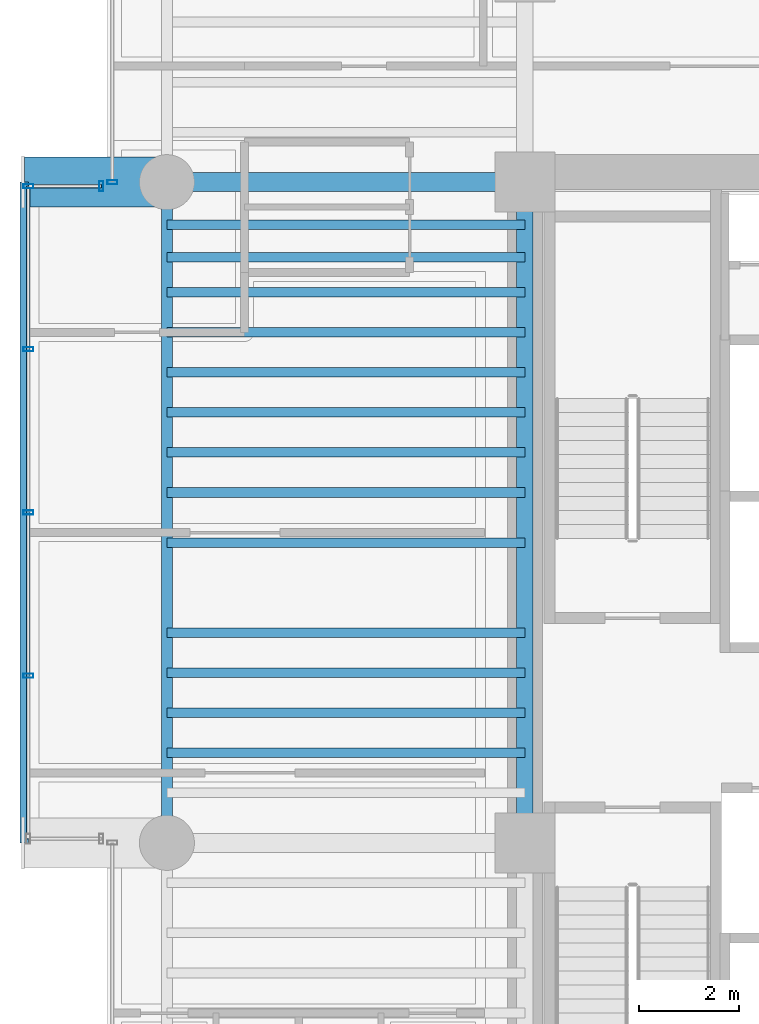
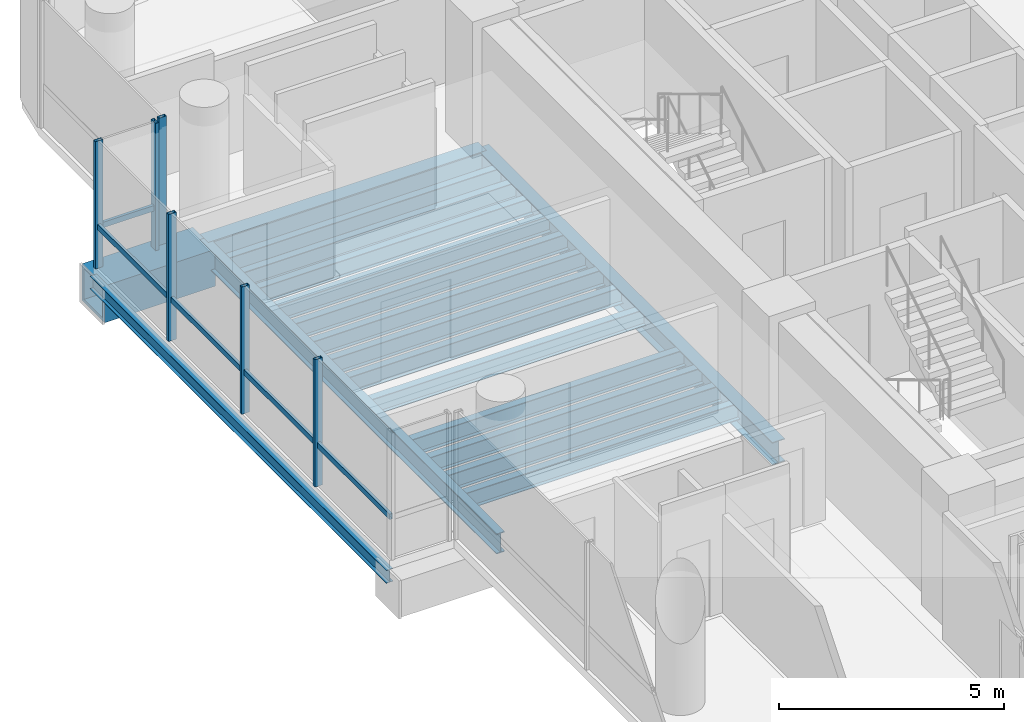
# One storey, part 7 of 35: 18 beams, 8 members, 3 elements without a shape of their own.
"""IFC4 building model written with IfcOpenShell, lengths in metres."""

import ifcopenshell
import ifcopenshell.guid

model = None  # the IFC model being written
_history = None  # IfcOwnerHistory: only IFC2X3 demands one
_inside = {}  # id of a spatial element -> (the spatial element, [elements in it])
_under = {}  # id of a project, library or spatial element -> (it, [spatial elements below it])
_declared = {}  # id of a project -> (the project, [libraries it declares])
_typed = {}  # id of a type object -> (the type object, [elements of that type])
_made_of = {}  # id of a material, layer set ... -> (it, [elements and type objects made of it])


def new_model(schema):
    """Start an empty IFC model of exactly this schema.

    Asked for "IFC4X3", IfcOpenShell would pick the latest addendum, in which some entities
    have other attributes; the version numbers below select the first issue.
    IFC2X3 requires an IfcOwnerHistory on every rooted entity: one is made here for all.
    """
    global model, _history
    if schema == "IFC4X3":
        model = ifcopenshell.file(schema_version=(4, 3, 0, 0))
    else:
        model = ifcopenshell.file(schema=schema)
    _inside.clear()
    _under.clear()
    _declared.clear()
    _typed.clear()
    _made_of.clear()
    _history = None
    if model.schema == "IFC2X3":
        org = make("IfcOrganization", Name="unknown")
        user = make(
            "IfcPersonAndOrganization",
            ThePerson=make("IfcPerson", FamilyName="unknown"),
            TheOrganization=org,
        )
        app = make(
            "IfcApplication",
            ApplicationDeveloper=org,
            Version="unknown",
            ApplicationFullName="unknown",
            ApplicationIdentifier="unknown",
        )
        _history = make(
            "IfcOwnerHistory",
            OwningUser=user,
            OwningApplication=app,
            ChangeAction="ADDED",
            CreationDate=0,
        )
    return model


def make(cls, **values):
    """One entity of the class cls with the attributes given. An attribute that is None is left unset."""
    return model.create_entity(
        cls, **{name: value for name, value in values.items() if value is not None}
    )


def rooted(cls, **values):
    """An entity with a GlobalId (a new one), such as an element, a storey or a relation."""
    return make(cls, GlobalId=ifcopenshell.guid.new(), OwnerHistory=_history, **values)


def si_unit(unit_type, name, prefix=None):
    """IfcSIUnit, for example si_unit("LENGTHUNIT", "METRE", prefix="MILLI")."""
    return make("IfcSIUnit", UnitType=unit_type, Prefix=prefix, Name=name)


def assignment(units):
    """IfcUnitAssignment: the units of a project."""
    return None if units is None else make("IfcUnitAssignment", Units=units)


def point(xyz):
    """IfcCartesianPoint."""
    return None if xyz is None else make("IfcCartesianPoint", Coordinates=xyz)


def direction(xyz):
    """IfcDirection."""
    return None if xyz is None else make("IfcDirection", DirectionRatios=xyz)


def frame(location, z_axis=None, x_axis=None):
    """IfcAxis2Placement3D, a coordinate frame: its origin and axes. An axis left out is left unset."""
    return make(
        "IfcAxis2Placement3D",
        Location=point(location),
        Axis=direction(z_axis),
        RefDirection=direction(x_axis),
    )


def frame_2d(location, x_axis=None):
    """IfcAxis2Placement2D, a coordinate frame in the plane: its origin and x axis."""
    return make(
        "IfcAxis2Placement2D", Location=point(location), RefDirection=direction(x_axis)
    )


def origin():
    """The frame at (0, 0, 0) with its axes left unset."""
    return frame((0.0, 0.0, 0.0))


def origin_2d():
    """The frame at (0, 0) in the plane with its x axis left unset."""
    return frame_2d((0.0, 0.0))


def place(relative_to, where):
    """IfcLocalPlacement: puts the frame where relative to a parent placement (None: the world)."""
    return make(
        "IfcLocalPlacement", PlacementRelTo=relative_to, RelativePlacement=where
    )


def context(
    kind, dimensions, precision=None, world=None, true_north=None, identifier=None
):
    """IfcGeometricRepresentationContext, for example the 3D "Model" context."""
    return make(
        "IfcGeometricRepresentationContext",
        ContextIdentifier=identifier,
        ContextType=kind,
        CoordinateSpaceDimension=dimensions,
        Precision=precision,
        WorldCoordinateSystem=world,
        TrueNorth=true_north,
    )


def subcontext(parent, identifier, kind, view, scale=None):
    """IfcGeometricRepresentationSubContext, for example "Body" below "Model"."""
    return make(
        "IfcGeometricRepresentationSubContext",
        ContextIdentifier=identifier,
        ContextType=kind,
        ParentContext=parent,
        TargetScale=scale,
        TargetView=view,
    )


def project(units=None, contexts=None):
    """IfcProject with its units and contexts."""
    return rooted(
        "IfcProject",
        Name="project",
        RepresentationContexts=contexts,
        UnitsInContext=assignment(units),
    )


def spatial(cls, under=None, at=None, **own):
    """A site, building, storey or space (cls), placed at a placement, below another one or the project."""
    s = rooted(cls, ObjectPlacement=at, **own)
    if under is not None:
        _under.setdefault(under.id(), (under, []))[1].append(s)
    return s


def profile(cls, at=None, kind="AREA", **sizes):
    """A parametric profile (cls). Its sizes go by their IFC names, for example OverallWidth=200.0."""
    return make(cls, ProfileType=kind, Position=at, **sizes)


def hollow_rectangle(**sizes):
    """IfcRectangleHollowProfileDef."""
    return profile("IfcRectangleHollowProfileDef", **sizes)


def i_section(**sizes):
    """IfcIShapeProfileDef."""
    return profile("IfcIShapeProfileDef", **sizes)


def extrude(swept, where, along, depth):
    """IfcExtrudedAreaSolid: the profile swept, set in the frame where, extruded along a direction by depth."""
    return make(
        "IfcExtrudedAreaSolid",
        SweptArea=swept,
        Position=where,
        ExtrudedDirection=direction(along),
        Depth=depth,
    )


def shape(context_of_items, identifier, shape_type, items):
    """IfcShapeRepresentation: the items that make up one representation, for example the "Body"."""
    return make(
        "IfcShapeRepresentation",
        ContextOfItems=context_of_items,
        RepresentationIdentifier=identifier,
        RepresentationType=shape_type,
        Items=items,
    )


def source(mapping_origin, context_of_items, identifier, shape_type, items):
    """IfcRepresentationMap: a shape defined once, which mapped items show again and again."""
    return make(
        "IfcRepresentationMap",
        MappingOrigin=mapping_origin,
        MappedRepresentation=shape(context_of_items, identifier, shape_type, items),
    )


def transform(
    local_origin,
    x_axis=None,
    y_axis=None,
    z_axis=None,
    scale=None,
    scale2=None,
    scale3=None,
    uniform=True,
):
    """IfcCartesianTransformationOperator3D, or its non-uniform kind. x_axis, y_axis, z_axis: its Axis1, 2, 3."""
    if uniform:
        return make(
            "IfcCartesianTransformationOperator3D",
            Axis1=direction(x_axis),
            Axis2=direction(y_axis),
            LocalOrigin=point(local_origin),
            Scale=scale,
            Axis3=direction(z_axis),
        )
    return make(
        "IfcCartesianTransformationOperator3DnonUniform",
        Axis1=direction(x_axis),
        Axis2=direction(y_axis),
        LocalOrigin=point(local_origin),
        Scale=scale,
        Axis3=direction(z_axis),
        Scale2=scale2,
        Scale3=scale3,
    )


def mapped(mapping_source, mapping_target):
    """IfcMappedItem: shows the shape of a source again, moved by a transform."""
    return make(
        "IfcMappedItem", MappingSource=mapping_source, MappingTarget=mapping_target
    )


def material(Name=None, Category=None):
    """IfcMaterial."""
    return make("IfcMaterial", Name=Name, Category=Category)


def material_profile(
    of_material, cross_section, Name=None, Category=None, Priority=None
):
    """IfcMaterialProfile: a cross section and its material."""
    return make(
        "IfcMaterialProfile",
        Name=Name,
        Material=of_material,
        Profile=cross_section,
        Priority=Priority,
        Category=Category,
    )


def profile_set(profiles, Name=None, composite=None):
    """IfcMaterialProfileSet."""
    return make(
        "IfcMaterialProfileSet",
        Name=Name,
        MaterialProfiles=profiles,
        CompositeProfile=composite,
    )


def made_of(thing, what):
    """Note that an element or type object is made of a material, layer set ...; save() writes the relation."""
    if what is not None:
        _made_of.setdefault(what.id(), (what, []))[1].append(thing)
    return thing


def type_object(cls, material=None, **own):
    """A type object (cls), such as IfcWallType, which elements share."""
    return made_of(rooted(cls, **own), material)


def element(
    cls,
    number,
    at=None,
    inside=None,
    cuts=None,
    type_object=None,
    material=None,
    context=None,
    identifier="Body",
    shape_type=None,
    held_by="IfcProductDefinitionShape",
    body=None,
    shapes=None,
    **own,
):
    """One element of the class cls, such as IfcWall. Its Tag is "e" and its number.

    at: its placement. inside: the storey or other place that contains it. cuts: it is an
    opening in that element (IfcRelVoidsElement). A single representation is given by context,
    identifier, shape_type and body (its items); several are given by shapes. held_by: the class
    of the entity that holds the representations. save() writes the other relations.
    """
    e = rooted(cls, Tag="e%d" % number, ObjectPlacement=at, **own)
    if body is not None:
        shapes = [shape(context, identifier, shape_type, body)]
    if shapes is not None:
        e.Representation = make(held_by, Representations=shapes)
    if inside is not None:
        _inside.setdefault(inside.id(), (inside, []))[1].append(e)
    if cuts is not None:
        rooted(
            "IfcRelVoidsElement", RelatingBuildingElement=cuts, RelatedOpeningElement=e
        )
    if type_object is not None:
        _typed.setdefault(type_object.id(), (type_object, []))[1].append(e)
    return made_of(e, material)


def aggregate(whole, parts):
    """IfcRelAggregates: a whole, such as a stair, and the parts it consists of."""
    return rooted("IfcRelAggregates", RelatingObject=whole, RelatedObjects=parts)


def save(model, path):
    """Write the relations noted so far, then the file.

    IfcRelAggregates (storeys below a building ...), IfcRelContainedInSpatialStructure (elements
    in a storey), IfcRelDefinesByType, IfcRelAssociatesMaterial and IfcRelDeclares: one each for
    every whole, place, type object, material and project.
    """
    for whole, parts in _under.values():
        aggregate(whole, parts)
    for where, things in _inside.values():
        rooted(
            "IfcRelContainedInSpatialStructure",
            RelatedElements=things,
            RelatingStructure=where,
        )
    for kind, things in _typed.values():
        rooted("IfcRelDefinesByType", RelatedObjects=things, RelatingType=kind)
    for what, things in _made_of.values():
        rooted("IfcRelAssociatesMaterial", RelatedObjects=things, RelatingMaterial=what)
    for by, libraries in _declared.values():
        rooted("IfcRelDeclares", RelatingContext=by, RelatedDefinitions=libraries)
    model.write(path)


model = new_model("IFC4")

# Units and contexts
model_context = context("Model", 3, precision=1e-05, world=origin(), true_north=direction((0.0, 1.0)))
body_context = subcontext(model_context, "Body", "Model", "MODEL_VIEW")
ifc_project = project(units=[si_unit("LENGTHUNIT", "METRE"), si_unit("AREAUNIT", "SQUARE_METRE"), si_unit("VOLUMEUNIT", "CUBIC_METRE"), si_unit("PLANEANGLEUNIT", "RADIAN"), si_unit("MASSUNIT", "GRAM", prefix="KILO")], contexts=[model_context])

# Site, building, storey
site_placement = place(None, origin())
site = spatial("IfcSite", under=ifc_project, at=site_placement, CompositionType="ELEMENT")
building_placement = place(site_placement, origin())
building = spatial("IfcBuilding", under=site, at=building_placement, Name="Valdorenza Pilgrim Sanctuary Tower", CompositionType="ELEMENT")
storey_placement = place(building_placement, frame((0.0, 0.0, 139.0)))
storey = spatial("IfcBuildingStorey", under=building, at=storey_placement, Name="L35", CompositionType="ELEMENT", Elevation=139.0)

# Beams
ifc_material_1 = material(Name="Steel ASTM A992 Grade 50", Category="steel")
ifc_material_profile_1 = material_profile(ifc_material_1, i_section(OverallWidth=0.214111328125, OverallDepth=0.549072265625, WebThickness=0.0146484375, FlangeThickness=0.023681640625, at=origin_2d()), Name="W21X93")
ifc_profile_set_1 = profile_set([ifc_material_profile_1], Name="Steel ASTM A992 Grade 50")
beam_type_1 = type_object("IfcBeamType", Name="STR-BM-SPN-W21A", PredefinedType="SPANDREL", material=ifc_profile_set_1)
shared_shape_1 = source(origin(), body_context, "Body", "SweptSolid", [
    extrude(i_section(OverallWidth=0.214111328125, OverallDepth=0.549072265625, WebThickness=0.0146484375, FlangeThickness=0.023681640625, at=origin_2d()), origin(), (0.0, 0.0, 1.0), 13.2001953125),
])
beam_1_placement = place(storey_placement, frame((-29.800048828125, -2.60009765625, -0.514404296875), z_axis=(0.0, 1.0, 0.0), x_axis=(-1.0, 0.0, 0.0)))
element("IfcBeam", 1, at=beam_1_placement, inside=storey, type_object=beam_type_1, Name="L35 Spandrel Beam WA-W-M0N1", PredefinedType="SPANDREL", context=body_context, shape_type="MappedRepresentation", body=[
    mapped(shared_shape_1, transform((0.0, 0.0, 0.0), x_axis=(1.0, 0.0, 0.0), y_axis=(0.0, 1.0, 0.0), z_axis=(0.0, 0.0, 1.0), scale=1.0)),
])
ifc_material_profile_2 = material_profile(ifc_material_1, i_section(OverallWidth=0.323974609375, OverallDepth=0.611083984375, WebThickness=0.0126953125, FlangeThickness=0.01904296875, at=origin_2d()), Name="W24X104")
ifc_profile_set_2 = profile_set([ifc_material_profile_2], Name="Steel ASTM A992 Grade 50")
beam_type_2 = type_object("IfcBeamType", Name="STR-BM-GRD-W24B", PredefinedType="BEAM", material=ifc_profile_set_2)
shared_shape_2 = source(origin(), body_context, "Body", "SweptSolid", [
    extrude(i_section(OverallWidth=0.323974609375, OverallDepth=0.611083984375, WebThickness=0.0126953125, FlangeThickness=0.01904296875, at=origin_2d()), origin(), (0.0, 0.0, 1.0), 13.2001953125),
])
beam_2_placement = place(storey_placement, frame((-22.64990234375, -2.60009765625, -0.54541015625), z_axis=(0.0, 1.0, 0.0), x_axis=(-1.0, 0.0, 0.0)))
element("IfcBeam", 2, at=beam_2_placement, inside=storey, type_object=beam_type_2, Name="L35 Core Tie Girder CA-W-M0N1", PredefinedType="BEAM", context=body_context, shape_type="MappedRepresentation", body=[
    mapped(shared_shape_2, transform((0.0, 0.0, 0.0), x_axis=(1.0, 0.0, 0.0), y_axis=(0.0, 1.0, 0.0), z_axis=(0.0, 0.0, 1.0), scale=1.0)),
])
ifc_material_profile_3 = material_profile(ifc_material_1, i_section(OverallWidth=0.1708984375, OverallDepth=0.35107421875, WebThickness=0.0068359375, FlangeThickness=0.009765625, at=origin_2d()), Name="W14X30")
ifc_profile_set_3 = profile_set([ifc_material_profile_3], Name="Steel ASTM A992 Grade 50")
beam_type_3 = type_object("IfcBeamType", Name="STR-BM-BOX-W14", PredefinedType="BEAM", material=ifc_profile_set_3)
shared_shape_3 = source(origin(), body_context, "Body", "SweptSolid", [
    extrude(i_section(OverallWidth=0.1708984375, OverallDepth=0.35107421875, WebThickness=0.0068359375, FlangeThickness=0.009765625, at=origin_2d()), origin(), (0.0, 0.0, 1.0), 13.2001953125),
])
beam_3_placement = place(storey_placement, frame((-32.64990234375, -2.60009765625, -0.41552734375), z_axis=(0.0, 1.0, 0.0), x_axis=(-1.0, 0.0, 0.0)))
element("IfcBeam", 3, at=beam_3_placement, inside=storey, type_object=beam_type_3, Name="L35 Glass Box Edge Beam BOX-WA-L35-F", PredefinedType="BEAM", context=body_context, shape_type="MappedRepresentation", body=[
    mapped(shared_shape_3, transform((0.0, 0.0, 0.0), x_axis=(1.0, 0.0, 0.0), y_axis=(0.0, 1.0, 0.0), z_axis=(0.0, 0.0, 1.0), scale=1.0)),
])
ifc_material_profile_4 = material_profile(ifc_material_1, i_section(OverallWidth=0.382080078125, OverallDepth=0.779052734375, WebThickness=0.01806640625, FlangeThickness=0.030029296875, at=origin_2d()), Name="W30X191")
ifc_profile_set_4 = profile_set([ifc_material_profile_4], Name="Steel ASTM A992 Grade 50")
beam_type_4 = type_object("IfcBeamType", Name="STR-BM-GRD-W30", PredefinedType="BEAM", material=ifc_profile_set_4)
shared_shape_4 = source(origin(), body_context, "Body", "SweptSolid", [
    extrude(i_section(OverallWidth=0.382080078125, OverallDepth=0.779052734375, WebThickness=0.01806640625, FlangeThickness=0.030029296875, at=origin_2d()), origin(), (0.0, 0.0, 1.0), 7.150146484375),
])
beam_4_placement = place(storey_placement, frame((-29.800048828125, 10.60009765625, -0.62939453125), z_axis=(1.0, 0.0, 0.0), x_axis=(0.0, 1.0, 0.0)))
element("IfcBeam", 4, at=beam_4_placement, inside=storey, type_object=beam_type_4, Name="L35 Floor Girder WA-XW-N1", PredefinedType="BEAM", context=body_context, shape_type="MappedRepresentation", body=[
    mapped(shared_shape_4, transform((0.0, 0.0, 0.0), x_axis=(1.0, 0.0, 0.0), y_axis=(0.0, 1.0, 0.0), z_axis=(0.0, 0.0, 1.0), scale=1.0)),
])
ifc_material_profile_5 = material_profile(ifc_material_1, i_section(OverallWidth=0.19091796875, OverallDepth=0.45703125, WebThickness=0.009033203125, FlangeThickness=0.014404296875, at=origin_2d()), Name="W18X50")
ifc_profile_set_5 = profile_set([ifc_material_profile_5], Name="Steel ASTM A992 Grade 50")
beam_type_5 = type_object("IfcBeamType", Name="STR-BM-JST-W18B", PredefinedType="JOIST", material=ifc_profile_set_5)
shared_shape_5 = source(origin(), body_context, "Body", "SweptSolid", [
    extrude(i_section(OverallWidth=0.19091796875, OverallDepth=0.45703125, WebThickness=0.009033203125, FlangeThickness=0.014404296875, at=origin_2d()), origin(), (0.0, 0.0, 1.0), 7.150146484375),
])
for number, where, z_axis, x_axis, name in (
    (5, (-29.800048828125, -0.800048828125, -0.468505859375), (1.0, 0.0, 0.0), (0.0, 1.0, 0.0), "L35 Composite Floor Joist JST-WA-11"),
    (6, (-29.800048828125, 0.0, -0.468505859375), (1.0, 0.0, 0.0), (0.0, 1.0, 0.0), "L35 Composite Floor Joist JST-WA-12"),
    (7, (-29.800048828125, 0.800048828125, -0.468505859375), (1.0, 0.0, 0.0), (0.0, 1.0, 0.0), "L35 Composite Floor Joist JST-WA-13"),
    (8, (-29.800048828125, 1.60009765625, -0.468505859375), (1.0, 0.0, 0.0), (0.0, 1.0, 0.0), "L35 Composite Floor Joist JST-WA-14"),
    (9, (-29.800048828125, 3.39990234375, -0.468505859375), (1.0, 0.0, 0.0), (0.0, 1.0, 0.0), "L35 Composite Floor Joist JST-WA-15"),
    (10, (-29.800048828125, 4.39990234375, -0.468505859375), (1.0, 0.0, 0.0), (0.0, 1.0, 0.0), "L35 Composite Floor Joist JST-WA-16"),
    (11, (-29.800048828125, 5.199951171875, -0.468505859375), (1.0, 0.0, 0.0), (0.0, 1.0, 0.0), "L35 Composite Floor Joist JST-WA-17"),
    (12, (-29.800048828125, 6.0, -0.468505859375), (1.0, 0.0, 0.0), (0.0, 1.0, 0.0), "L35 Composite Floor Joist JST-WA-18"),
    (13, (-29.800048828125, 6.800048828125, -0.468505859375), (1.0, 0.0, 0.0), (0.0, 1.0, 0.0), "L35 Composite Floor Joist JST-WA-19"),
    (14, (-29.800048828125, 7.60009765625, -0.468505859375), (1.0, 0.0, 0.0), (0.0, 1.0, 0.0), "L35 Composite Floor Joist JST-WA-20"),
    (15, (-29.800048828125, 8.39990234375, -0.468505859375), (1.0, 0.0, 0.0), (0.0, 1.0, 0.0), "L35 Composite Floor Joist JST-WA-21"),
    (16, (-29.800048828125, 9.10009765625, -0.468505859375), (1.0, 0.0, 0.0), (0.0, 1.0, 0.0), "L35 Composite Floor Joist JST-WA-22"),
    (17, (-29.800048828125, 9.75, -0.468505859375), (1.0, 0.0, 0.0), (0.0, 1.0, 0.0), "L35 Composite Floor Joist JST-WA-23"),
):
    element("IfcBeam", number, at=place(storey_placement, frame(where, z_axis=z_axis, x_axis=x_axis)), inside=storey, type_object=beam_type_5, Name=name, PredefinedType="JOIST", context=body_context, shape_type="MappedRepresentation", body=[
        mapped(shared_shape_5, transform((0.0, 0.0, 0.0), x_axis=(1.0, 0.0, 0.0), y_axis=(0.0, 1.0, 0.0), z_axis=(0.0, 0.0, 1.0), scale=1.0)),
    ])
ifc_material_2 = material(Name="Steel ASTM A572 Grade 42", Category="steel")
ifc_material_profile_6 = material_profile(ifc_material_2, hollow_rectangle(XDim=1.0, YDim=1.0, WallThickness=0.080078125, at=origin_2d()), Name="BOX 1000x1000x80")
ifc_profile_set_6 = profile_set([ifc_material_profile_6], Name="Steel ASTM A572 Grade 42")
beam_type_6 = type_object("IfcBeamType", Name="STR-BM-PROW-CANT", PredefinedType="BEAM", material=ifc_profile_set_6)
shared_shape_6 = source(origin(), body_context, "Body", "SweptSolid", [
    extrude(hollow_rectangle(XDim=1.0, YDim=1.0, WallThickness=0.080078125, at=origin_2d()), origin(), (0.0, 0.0, 1.0), 2.849853515625),
])
beam_5_placement = place(storey_placement, frame((-29.800048828125, 10.60009765625, -0.739990234375), z_axis=(-1.0, 0.0, 0.0), x_axis=(0.0, -1.0, 0.0)))
element("IfcBeam", 18, at=beam_5_placement, inside=storey, type_object=beam_type_6, Name="L35 Glass Box Cantilever Beam BOX-WA-L35-CT-N", PredefinedType="BEAM", context=body_context, shape_type="MappedRepresentation", body=[
    mapped(shared_shape_6, transform((0.0, 0.0, 0.0), x_axis=(1.0, 0.0, 0.0), y_axis=(0.0, 1.0, 0.0), z_axis=(0.0, 0.0, 1.0), scale=1.0)),
])

# Curtain wall, member
ifc_material_3 = material(Name="Curtain-wall IGU glazing", Category="glass")
curtain_wall_type = type_object("IfcCurtainWallType", Name="CW-SYS-02", PredefinedType="NOTDEFINED", material=ifc_material_3)
curtain_wall_1_placement = place(storey_placement, origin())
curtain_wall_1 = element("IfcCurtainWall", 19, at=curtain_wall_1_placement, inside=storey, type_object=curtain_wall_type, Name="L35 Curtain Wall CW-L35-1-1S2", PredefinedType="NOTDEFINED")
ifc_material_4 = material(Name="Anodised aluminium AW-6060", Category="aluminium")
ifc_material_profile_7 = material_profile(ifc_material_4, hollow_rectangle(XDim=0.0849609375, YDim=0.199951171875, WallThickness=0.0048828125, at=origin_2d()), Name="ALU-M 200x85x5")
ifc_profile_set_7 = profile_set([ifc_material_profile_7], Name="Anodised aluminium AW-6060")
member_type_1 = type_object("IfcMemberType", Name="CW-MUL-02", PredefinedType="MULLION", material=ifc_profile_set_7)
shared_shape_7 = source(origin(), body_context, "Body", "SweptSolid", [
    extrude(hollow_rectangle(XDim=0.0849609375, YDim=0.199951171875, WallThickness=0.0048828125, at=origin_2d()), origin(), (0.0, 0.0, 1.0), 3.4599609375),
])
member_1_placement = place(storey_placement, frame((-30.889892578125, 10.60009765625, 0.0), z_axis=(0.0, 0.0, 1.0), x_axis=(0.0, 1.0, 0.0)))
member_1 = element("IfcMember", 20, at=member_1_placement, type_object=member_type_1, Name="CW-L35-1-1S2 Mullion 1", PredefinedType="MULLION", context=body_context, shape_type="MappedRepresentation", body=[
    mapped(shared_shape_7, transform((0.0, 0.0, 0.0), x_axis=(1.0, 0.0, 0.0), y_axis=(0.0, 1.0, 0.0), z_axis=(0.0, 0.0, 1.0), scale=1.0)),
])
aggregate(curtain_wall_1, [member_1])

# Curtain wall, members
curtain_wall_2_placement = place(storey_placement, origin())
curtain_wall_2 = element("IfcCurtainWall", 21, at=curtain_wall_2_placement, inside=storey, type_object=curtain_wall_type, Name="L35 Curtain Wall CW-L35-BOX-WA-L35-F", PredefinedType="NOTDEFINED")
member_2_placement = place(storey_placement, frame((-32.570068359375, 0.739990234375, 0.0), z_axis=(0.0, 0.0, 1.0), x_axis=(0.0, 1.0, 0.0)))
member_2 = element("IfcMember", 22, at=member_2_placement, type_object=member_type_1, Name="CW-L35-BOX-WA-L35-F Mullion 2", PredefinedType="MULLION", context=body_context, shape_type="MappedRepresentation", body=[
    mapped(shared_shape_7, transform((0.0, 0.0, 0.0), x_axis=(1.0, 0.0, 0.0), y_axis=(0.0, 1.0, 0.0), z_axis=(0.0, 0.0, 1.0), scale=1.0)),
])
member_3_placement = place(storey_placement, frame((-32.570068359375, 4.0, 0.0), z_axis=(0.0, 0.0, 1.0), x_axis=(0.0, 1.0, 0.0)))
member_3 = element("IfcMember", 23, at=member_3_placement, type_object=member_type_1, Name="CW-L35-BOX-WA-L35-F Mullion 3", PredefinedType="MULLION", context=body_context, shape_type="MappedRepresentation", body=[
    mapped(shared_shape_7, transform((0.0, 0.0, 0.0), x_axis=(1.0, 0.0, 0.0), y_axis=(0.0, 1.0, 0.0), z_axis=(0.0, 0.0, 1.0), scale=1.0)),
])
member_4_placement = place(storey_placement, frame((-32.570068359375, 7.260009765625, 0.0), z_axis=(0.0, 0.0, 1.0), x_axis=(0.0, 1.0, 0.0)))
member_4 = element("IfcMember", 24, at=member_4_placement, type_object=member_type_1, Name="CW-L35-BOX-WA-L35-F Mullion 4", PredefinedType="MULLION", context=body_context, shape_type="MappedRepresentation", body=[
    mapped(shared_shape_7, transform((0.0, 0.0, 0.0), x_axis=(1.0, 0.0, 0.0), y_axis=(0.0, 1.0, 0.0), z_axis=(0.0, 0.0, 1.0), scale=1.0)),
])
member_5_placement = place(storey_placement, frame((-32.570068359375, 10.52001953125, 0.0), z_axis=(0.0, 0.0, 1.0), x_axis=(0.0, 1.0, 0.0)))
member_5 = element("IfcMember", 25, at=member_5_placement, type_object=member_type_1, Name="CW-L35-BOX-WA-L35-F Mullion 5", PredefinedType="MULLION", context=body_context, shape_type="MappedRepresentation", body=[
    mapped(shared_shape_7, transform((0.0, 0.0, 0.0), x_axis=(1.0, 0.0, 0.0), y_axis=(0.0, 1.0, 0.0), z_axis=(0.0, 0.0, 1.0), scale=1.0)),
])

curtain_wall_3_placement = place(storey_placement, origin())
curtain_wall_3 = element("IfcCurtainWall", 26, at=curtain_wall_3_placement, inside=storey, type_object=curtain_wall_type, Name="L35 Curtain Wall CW-L35-BOX-WA-L35-N", PredefinedType="NOTDEFINED")
member_6_placement = place(storey_placement, frame((-31.110107421875, 10.52001953125, 0.0), z_axis=(0.0, 0.0, 1.0), x_axis=(1.0, 0.0, 0.0)))
member_6 = element("IfcMember", 27, at=member_6_placement, type_object=member_type_1, Name="CW-L35-BOX-WA-L35-N Mullion 2", PredefinedType="MULLION", context=body_context, shape_type="MappedRepresentation", body=[
    mapped(shared_shape_7, transform((0.0, 0.0, 0.0), x_axis=(1.0, 0.0, 0.0), y_axis=(0.0, 1.0, 0.0), z_axis=(0.0, 0.0, 1.0), scale=1.0)),
])
ifc_material_profile_8 = material_profile(ifc_material_4, hollow_rectangle(XDim=0.074951171875, YDim=0.14990234375, WallThickness=0.00390625, at=origin_2d()), Name="ALU-T 150x75x4")
ifc_profile_set_8 = profile_set([ifc_material_profile_8], Name="Anodised aluminium AW-6060")
member_type_2 = type_object("IfcMemberType", Name="CW-TRN-02", PredefinedType="USERDEFINED", material=ifc_profile_set_8)
shared_shape_8 = source(origin(), body_context, "Body", "SweptSolid", [
    extrude(hollow_rectangle(XDim=0.074951171875, YDim=0.14990234375, WallThickness=0.00390625, at=origin_2d()), origin(), (0.0, 0.0, 1.0), 1.4599609375),
])
member_7_placement = place(storey_placement, frame((-32.570068359375, 10.52001953125, 1.1201171875), z_axis=(1.0, 0.0, 0.0), x_axis=(0.0, 1.0, 0.0)))
member_7 = element("IfcMember", 28, at=member_7_placement, type_object=member_type_2, Name="CW-L35-BOX-WA-L35-N Transom 1", ObjectType="TRANSOM", PredefinedType="USERDEFINED", context=body_context, shape_type="MappedRepresentation", body=[
    mapped(shared_shape_8, transform((0.0, 0.0, 0.0), x_axis=(1.0, 0.0, 0.0), y_axis=(0.0, 1.0, 0.0), z_axis=(0.0, 0.0, 1.0), scale=1.0)),
])
aggregate(curtain_wall_3, [member_6, member_7])

# Member
shared_shape_9 = source(origin(), body_context, "Body", "SweptSolid", [
    extrude(hollow_rectangle(XDim=0.074951171875, YDim=0.14990234375, WallThickness=0.00390625, at=origin_2d()), origin(), (0.0, 0.0, 1.0), 13.0400390625),
])
member_8_placement = place(storey_placement, frame((-32.570068359375, -2.52001953125, 1.1201171875), z_axis=(0.0, 1.0, 0.0), x_axis=(-1.0, 0.0, 0.0)))
member_8 = element("IfcMember", 29, at=member_8_placement, type_object=member_type_2, Name="CW-L35-BOX-WA-L35-F Transom 1", ObjectType="TRANSOM", PredefinedType="USERDEFINED", context=body_context, shape_type="MappedRepresentation", body=[
    mapped(shared_shape_9, transform((0.0, 0.0, 0.0), x_axis=(1.0, 0.0, 0.0), y_axis=(0.0, 1.0, 0.0), z_axis=(0.0, 0.0, 1.0), scale=1.0)),
])

aggregate(curtain_wall_2, [member_2, member_3, member_4, member_5, member_8])

save(model, "model.ifc")
